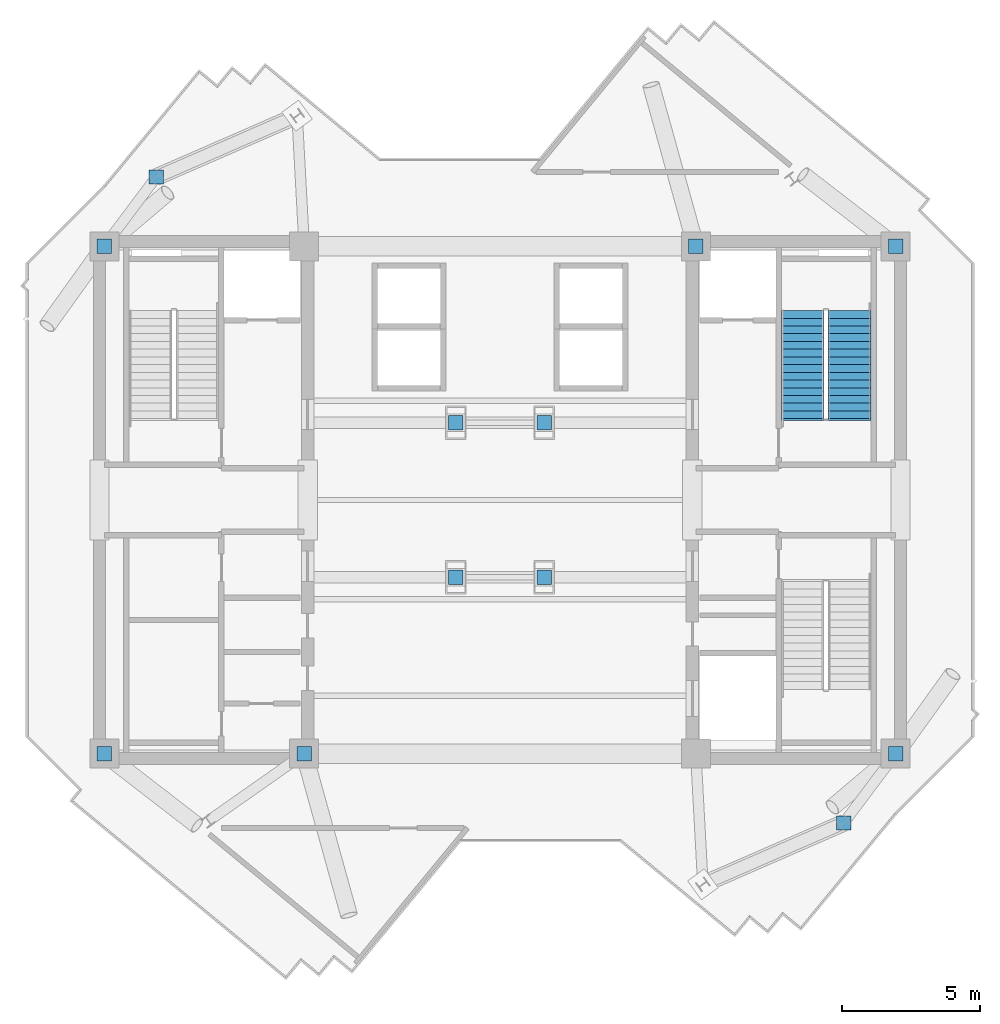
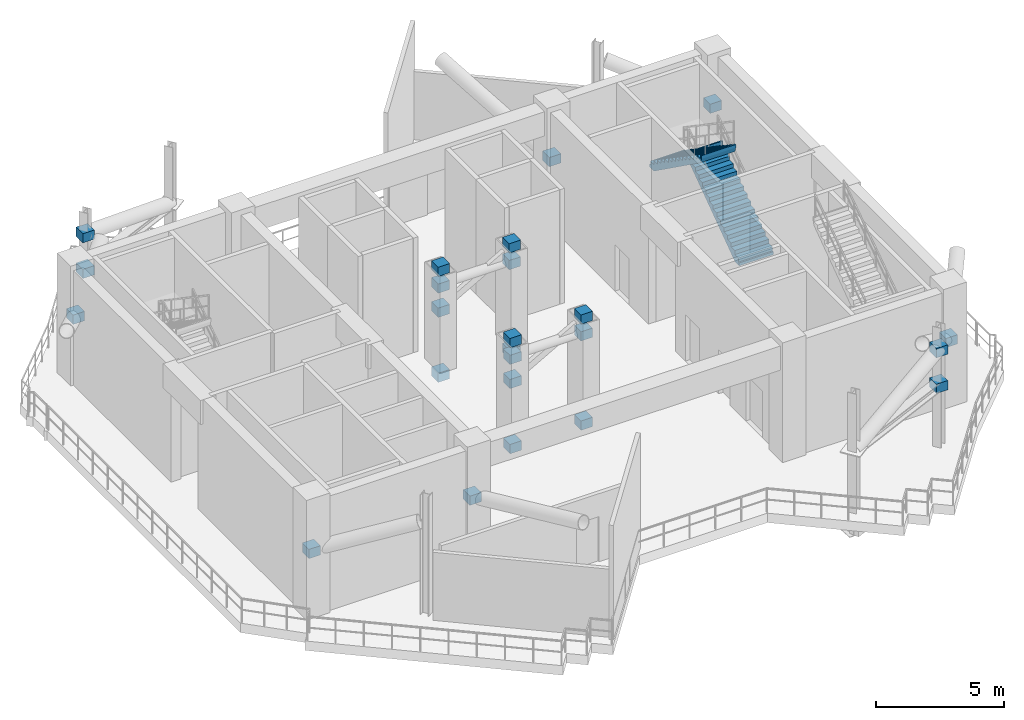
# One storey, part 4 of 7: 24 discrete accessories, 2 stair flights, 1 element without a shape of its own.
"""IFC4 building model written with IfcOpenShell, lengths in metres."""

from ifc_helpers import new_model, si_unit, direction, frame, origin, origin_2d, place, context, subcontext, project, spatial, polyline, rectangle, outline, extrude, source, transform, mapped, material, type_object, element, aggregate, save


model = new_model("IFC4")

# Units and contexts
model_context = context("Model", 3, precision=1e-05, world=origin(), true_north=direction((0.0, 1.0)))
body_context = subcontext(model_context, "Body", "Model", "MODEL_VIEW")
ifc_project = project(units=[si_unit("LENGTHUNIT", "METRE"), si_unit("AREAUNIT", "SQUARE_METRE"), si_unit("VOLUMEUNIT", "CUBIC_METRE"), si_unit("PLANEANGLEUNIT", "RADIAN"), si_unit("MASSUNIT", "GRAM", prefix="KILO")], contexts=[model_context])

# Site, building, storey
site_placement = place(None, origin())
site = spatial("IfcSite", under=ifc_project, at=site_placement, CompositionType="ELEMENT")
building_placement = place(site_placement, origin())
building = spatial("IfcBuilding", under=site, at=building_placement, Name="Zahravan Cultural Tower", CompositionType="ELEMENT")
storey_placement = place(building_placement, frame((0.0, 0.0, 314.10009765625)))
storey = spatial("IfcBuildingStorey", under=building, at=storey_placement, Name="L76", CompositionType="ELEMENT", Elevation=314.10009765625)

# Stair, stair flights
ifc_material_1 = material(Name="Concrete C45/55", Category="concrete")
stair_type = type_object("IfcStairType", Name="STR-DL-1550-570", PredefinedType="HALF_TURN_STAIR", material=ifc_material_1)
stair_placement = place(storey_placement, origin())
stair = element("IfcStair", 1, at=stair_placement, inside=storey, type_object=stair_type, Name="L76 East Core North Exit Stair ST-E1", PredefinedType="HALF_TURN_STAIR")
stair_flight_type = type_object("IfcStairFlightType", Name="FLG-DL-1550-570", PredefinedType="STRAIGHT", material=ifc_material_1)
stair_flight_1_placement = place(storey_placement, frame((48.675048828125, 29.949951171875, 0.0), z_axis=(0.0, 0.0, 1.0), x_axis=(0.0, 1.0, 0.0)))
stair_flight_1 = element("IfcStairFlight", 2, at=stair_flight_1_placement, type_object=stair_flight_type, Name="ST-E1 flight 1", NumberOfRisers=15, NumberOfTreads=14, PredefinedType="STRAIGHT", RiserHeight=0.19, TreadLength=0.28, context=body_context, shape_type="SweptSolid", body=[
    extrude(outline(polyline([(-0.06494140625, -0.139892578125), (-0.06494140625, 0.0), (0.0, 0.0), (0.0, 0.18994140625), (0.280029296875, 0.18994140625), (0.280029296875, 0.3798828125), (0.56005859375, 0.3798828125), (0.56005859375, 0.570068359375), (0.840087890625, 0.570068359375), (0.840087890625, 0.760009765625), (1.1201171875, 0.760009765625), (1.1201171875, 0.949951171875), (1.39990234375, 0.949951171875), (1.39990234375, 1.139892578125), (1.679931640625, 1.139892578125), (1.679931640625, 1.330078125), (1.9599609375, 1.330078125), (1.9599609375, 1.52001953125), (2.239990234375, 1.52001953125), (2.239990234375, 1.7099609375), (2.52001953125, 1.7099609375), (2.52001953125, 1.89990234375), (2.800048828125, 1.89990234375), (2.800048828125, 2.090087890625), (3.080078125, 2.090087890625), (3.080078125, 2.280029296875), (3.360107421875, 2.280029296875), (3.360107421875, 2.469970703125), (3.639892578125, 2.469970703125), (3.639892578125, 2.659912109375), (3.919921875, 2.659912109375), (3.919921875, 2.85009765625), (3.985107421875, 2.85009765625), (3.985107421875, 2.7001953125), (3.919921875, 2.478759765625), (0.266845703125, -0.139892578125), (-0.06494140625, -0.139892578125)])), frame((0.0, 0.77490234375, 0.0), z_axis=(0.0, -1.0, 0.0), x_axis=(1.0, 0.0, 0.0)), (0.0, 0.0, 1.0), 1.550048828125),
])
stair_flight_2_placement = place(storey_placement, frame((46.97509765625, 33.8701171875, 2.849853515625), z_axis=(0.0, 0.0, 1.0), x_axis=(0.0, -1.0, 0.0)))
stair_flight_2 = element("IfcStairFlight", 3, at=stair_flight_2_placement, type_object=stair_flight_type, Name="ST-E1 flight 2", NumberOfRisers=15, NumberOfTreads=14, PredefinedType="STRAIGHT", RiserHeight=0.19, TreadLength=0.28, context=body_context, shape_type="SweptSolid", body=[
    extrude(outline(polyline([(-0.06494140625, -0.139892578125), (-0.06494140625, 0.0), (0.0, 0.0), (0.0, 0.18994140625), (0.280029296875, 0.18994140625), (0.280029296875, 0.3798828125), (0.56005859375, 0.3798828125), (0.56005859375, 0.570068359375), (0.840087890625, 0.570068359375), (0.840087890625, 0.760009765625), (1.1201171875, 0.760009765625), (1.1201171875, 0.949951171875), (1.39990234375, 0.949951171875), (1.39990234375, 1.139892578125), (1.679931640625, 1.139892578125), (1.679931640625, 1.330078125), (1.9599609375, 1.330078125), (1.9599609375, 1.52001953125), (2.239990234375, 1.52001953125), (2.239990234375, 1.7099609375), (2.52001953125, 1.7099609375), (2.52001953125, 1.89990234375), (2.800048828125, 1.89990234375), (2.800048828125, 2.090087890625), (3.080078125, 2.090087890625), (3.080078125, 2.280029296875), (3.360107421875, 2.280029296875), (3.360107421875, 2.469970703125), (3.639892578125, 2.469970703125), (3.639892578125, 2.659912109375), (3.919921875, 2.659912109375), (3.919921875, 2.85009765625), (3.985107421875, 2.85009765625), (3.985107421875, 2.7001953125), (3.919921875, 2.478759765625), (0.266845703125, -0.139892578125), (-0.06494140625, -0.139892578125)])), frame((0.0, 0.77490234375, 0.0), z_axis=(0.0, -1.0, 0.0), x_axis=(1.0, 0.0, 0.0)), (0.0, 0.0, 1.0), 1.550048828125),
])
aggregate(stair, [stair_flight_1, stair_flight_2])

# Discrete accessories
ifc_material_2 = material(Name="Steel ASTM A572 Grade 50", Category="steel")
discrete_accessory_type = type_object("IfcDiscreteAccessoryType", Name="ACC-BRACE-GUSSET", PredefinedType="BRACKET", material=ifc_material_2)
shared_shape = source(origin(), body_context, "Body", "SweptSolid", [
    extrude(rectangle(XDim=0.52001953125, YDim=0.52001953125, at=origin_2d()), origin(), (0.0, 0.0, 1.0), 0.43994140625),
])
for number, where, z_axis, x_axis, name in (
    (4, (48.463623046875, 15.289306640625, 4.3798828125), (0.0, 0.0, 1.0), (1.0, 0.0, 0.0), "L76 Brace End Gusset Connection 044"),
    (5, (48.463623046875, 15.289306640625, 2.679931640625), (0.0, 0.0, 1.0), (1.0, 0.0, 0.0), "L76 Brace End Gusset Connection 045"),
    (6, (23.536376953125, 38.710693359375, 4.3798828125), (0.0, 0.0, 1.0), (1.0, 0.0, 0.0), "L76 Brace End Gusset Connection 046"),
    (7, (23.536376953125, 38.710693359375, 2.679931640625), (0.0, 0.0, 1.0), (1.0, 0.0, 0.0), "L76 Brace End Gusset Connection 047"),
    (8, (50.35009765625, 36.199951171875, 2.679931640625), (0.0, 0.0, 1.0), (1.0, 0.0, 0.0), "L76 Brace End Gusset Connection 048"),
    (9, (43.10009765625, 36.199951171875, 2.679931640625), (0.0, 0.0, 1.0), (1.0, 0.0, 0.0), "L76 Brace End Gusset Connection 049"),
    (10, (21.64990234375, 36.199951171875, 2.679931640625), (0.0, 0.0, 1.0), (1.0, 0.0, 0.0), "L76 Brace End Gusset Connection 050"),
    (11, (21.64990234375, 17.800048828125, 2.679931640625), (0.0, 0.0, 1.0), (1.0, 0.0, 0.0), "L76 Brace End Gusset Connection 051"),
    (12, (28.89990234375, 17.800048828125, 2.679931640625), (0.0, 0.0, 1.0), (1.0, 0.0, 0.0), "L76 Brace End Gusset Connection 052"),
    (13, (50.35009765625, 17.800048828125, 2.679931640625), (0.0, 0.0, 1.0), (1.0, 0.0, 0.0), "L76 Brace End Gusset Connection 053"),
    (14, (34.39990234375, 24.199951171875, -0.670166015625), (0.0, 0.0, 1.0), (1.0, 0.0, 0.0), "L76 Brace End Gusset Connection 054"),
    (15, (34.39990234375, 24.199951171875, 4.3798828125), (0.0, 0.0, 1.0), (1.0, 0.0, 0.0), "L76 Brace End Gusset Connection 055"),
    (16, (37.60009765625, 24.199951171875, -0.670166015625), (0.0, 0.0, 1.0), (1.0, 0.0, 0.0), "L76 Brace End Gusset Connection 056"),
    (17, (37.60009765625, 24.199951171875, 4.3798828125), (0.0, 0.0, 1.0), (1.0, 0.0, 0.0), "L76 Brace End Gusset Connection 057"),
    (18, (34.39990234375, 24.199951171875, 3.579833984375), (0.0, 0.0, 1.0), (1.0, 0.0, 0.0), "L76 Brace End Gusset Connection 058"),
    (19, (37.60009765625, 24.199951171875, 3.579833984375), (0.0, 0.0, 1.0), (1.0, 0.0, 0.0), "L76 Brace End Gusset Connection 059"),
    (20, (34.39990234375, 24.199951171875, 2.429931640625), (0.0, 0.0, 1.0), (1.0, 0.0, 0.0), "L76 Brace End Gusset Connection 060"),
    (21, (34.39990234375, 29.800048828125, -0.670166015625), (0.0, 0.0, 1.0), (1.0, 0.0, 0.0), "L76 Brace End Gusset Connection 061"),
    (22, (34.39990234375, 29.800048828125, 4.3798828125), (0.0, 0.0, 1.0), (1.0, 0.0, 0.0), "L76 Brace End Gusset Connection 062"),
    (23, (37.60009765625, 29.800048828125, -0.670166015625), (0.0, 0.0, 1.0), (1.0, 0.0, 0.0), "L76 Brace End Gusset Connection 063"),
    (24, (37.60009765625, 29.800048828125, 4.3798828125), (0.0, 0.0, 1.0), (1.0, 0.0, 0.0), "L76 Brace End Gusset Connection 064"),
    (25, (34.39990234375, 29.800048828125, 3.579833984375), (0.0, 0.0, 1.0), (1.0, 0.0, 0.0), "L76 Brace End Gusset Connection 065"),
    (26, (37.60009765625, 29.800048828125, 3.579833984375), (0.0, 0.0, 1.0), (1.0, 0.0, 0.0), "L76 Brace End Gusset Connection 066"),
    (27, (34.39990234375, 29.800048828125, 2.429931640625), (0.0, 0.0, 1.0), (1.0, 0.0, 0.0), "L76 Brace End Gusset Connection 067"),
):
    element("IfcDiscreteAccessory", number, at=place(storey_placement, frame(where, z_axis=z_axis, x_axis=x_axis)), inside=storey, type_object=discrete_accessory_type, Name=name, PredefinedType="BRACKET", context=body_context, shape_type="MappedRepresentation", body=[
        mapped(shared_shape, transform((0.0, 0.0, 0.0), x_axis=(1.0, 0.0, 0.0), y_axis=(0.0, 1.0, 0.0), z_axis=(0.0, 0.0, 1.0), scale=1.0)),
    ])

save(model, "model.ifc")
